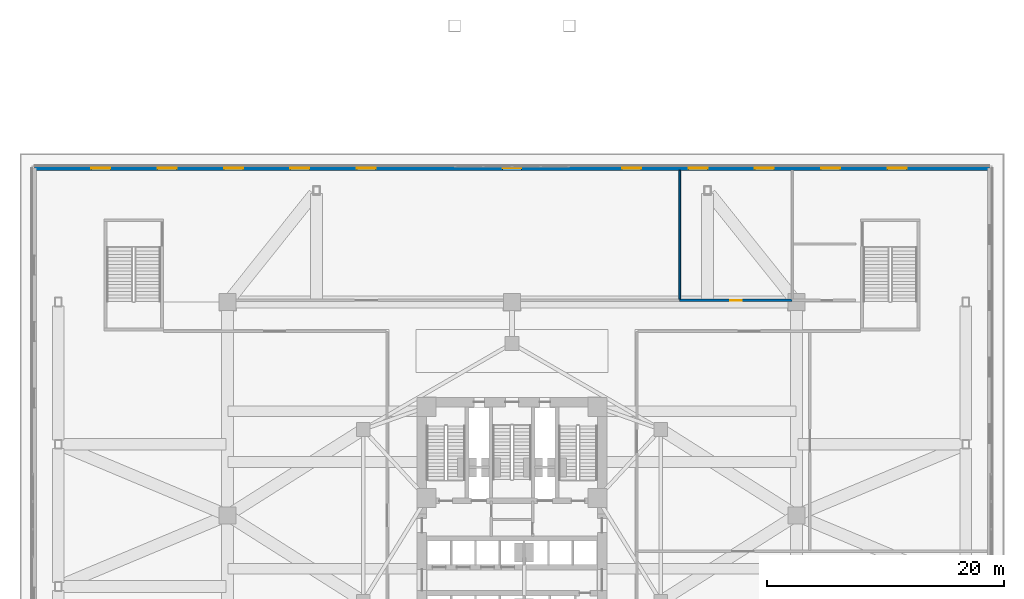
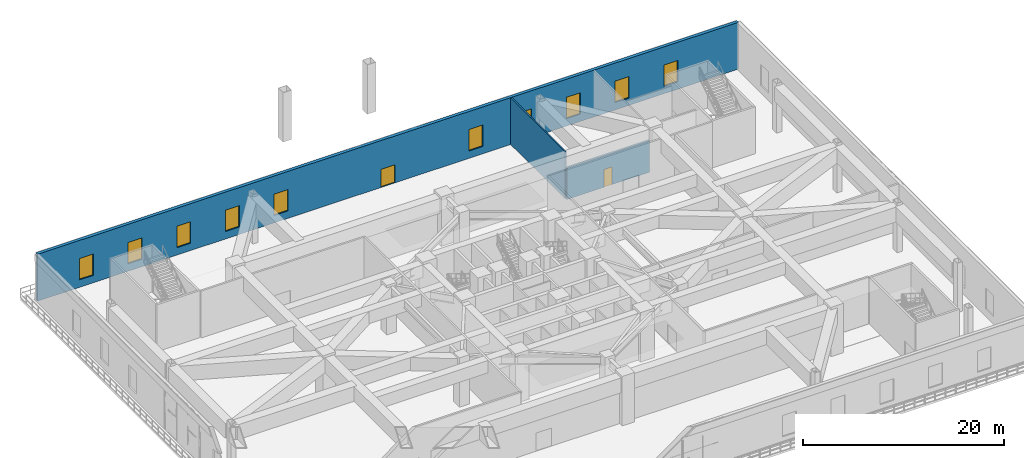
# One storey, part 14 of 25: 10 windows, 3 walls, 2 doors, 12 openings.
"""IFC4 building model written with IfcOpenShell, lengths in metres."""

from ifc_helpers import new_model, si_unit, direction, frame, frame_2d, origin, place, context, subcontext, project, spatial, rectangle, extrude, material, layer, layer_set, type_object, element, fill, save


model = new_model("IFC4")

# Units and contexts
model_context = context("Model", 3, precision=1e-05, world=origin(), true_north=direction((0.0, 1.0)))
body_context = subcontext(model_context, "Body", "Model", "MODEL_VIEW")
ifc_project = project(units=[si_unit("LENGTHUNIT", "METRE"), si_unit("AREAUNIT", "SQUARE_METRE"), si_unit("VOLUMEUNIT", "CUBIC_METRE"), si_unit("PLANEANGLEUNIT", "RADIAN"), si_unit("MASSUNIT", "GRAM", prefix="KILO")], contexts=[model_context])

# Site, building, storey
site_placement = place(None, origin())
site = spatial("IfcSite", under=ifc_project, at=site_placement, CompositionType="ELEMENT")
building_placement = place(site_placement, origin())
building = spatial("IfcBuilding", under=site, at=building_placement, Name="Apsidion Concourse Tower", CompositionType="ELEMENT")
storey_placement = place(building_placement, frame((0.0, 0.0, 11.5)))
storey = spatial("IfcBuildingStorey", under=building, at=storey_placement, Name="L02", CompositionType="ELEMENT", Elevation=11.5)

# Wall, openings, door, windows
ifc_material_1 = material(Name="Precast concrete C40/50", Category="concrete")
ifc_layer_1 = layer(ifc_material_1, 0.360107421875)
ifc_layer_set_1 = layer_set([ifc_layer_1], Name="Precast concrete C40/50")
wall_type_1 = type_object("IfcWallType", Name="WL-EXT-360", PredefinedType="STANDARD", material=ifc_layer_set_1)
wall_1_placement = place(storey_placement, frame((-40.300048828125, 29.300048828125, 0.0), z_axis=(0.0, 0.0, 1.0), x_axis=(1.0, 0.0, 0.0)))
wall_1 = element("IfcWall", 1, at=wall_1_placement, inside=storey, type_object=wall_type_1, Name="L02 Podium Precast Stone Facade Wall N", PredefinedType="STANDARD", context=body_context, shape_type="SweptSolid", body=[
    extrude(rectangle(XDim=80.60009765625, YDim=0.360107421875, at=frame_2d((40.300048828125, 0.0))), origin(), (0.0, 0.0, 1.0), 5.699951171875),
])
opening_1_placement = place(wall_1_placement, frame((39.5, 0.0, 0.0)))
opening_1 = element("IfcOpeningElement", 2, at=opening_1_placement, cuts=wall_1, Name="Opening D-T2D", PredefinedType="OPENING", context=body_context, shape_type="SweptSolid", body=[
    extrude(rectangle(XDim=1.60009765625, YDim=2.199951171875, at=frame_2d((0.800048828125, 1.10009765625))), frame((0.0, 0.18994140625, 0.0), z_axis=(0.0, -1.0, 0.0), x_axis=(1.0, 0.0, 0.0)), (0.0, 0.0, 1.0), 0.380126953125),
])
opening_2_placement = place(wall_1_placement, frame((4.800048828125, 0.0, 0.89990234375)))
opening_2 = element("IfcOpeningElement", 3, at=opening_2_placement, cuts=wall_1, Name="Opening WN-02", PredefinedType="OPENING", context=body_context, shape_type="SweptSolid", body=[
    extrude(rectangle(XDim=1.60009765625, YDim=2.60009765625, at=frame_2d((0.800048828125, 1.300048828125))), frame((0.0, 0.18994140625, 0.0), z_axis=(0.0, -1.0, 0.0), x_axis=(1.0, 0.0, 0.0)), (0.0, 0.0, 1.0), 0.380126953125),
])
opening_3_placement = place(wall_1_placement, frame((10.39990234375, 0.0, 0.89990234375)))
opening_3 = element("IfcOpeningElement", 4, at=opening_3_placement, cuts=wall_1, Name="Opening WN-02", PredefinedType="OPENING", context=body_context, shape_type="SweptSolid", body=[
    extrude(rectangle(XDim=1.60009765625, YDim=2.60009765625, at=frame_2d((0.800048828125, 1.300048828125))), frame((0.0, 0.18994140625, 0.0), z_axis=(0.0, -1.0, 0.0), x_axis=(1.0, 0.0, 0.0)), (0.0, 0.0, 1.0), 0.380126953125),
])
opening_4_placement = place(wall_1_placement, frame((16.0, 0.0, 0.89990234375)))
opening_4 = element("IfcOpeningElement", 5, at=opening_4_placement, cuts=wall_1, Name="Opening WN-02", PredefinedType="OPENING", context=body_context, shape_type="SweptSolid", body=[
    extrude(rectangle(XDim=1.60009765625, YDim=2.60009765625, at=frame_2d((0.800048828125, 1.300048828125))), frame((0.0, 0.18994140625, 0.0), z_axis=(0.0, -1.0, 0.0), x_axis=(1.0, 0.0, 0.0)), (0.0, 0.0, 1.0), 0.380126953125),
])
opening_5_placement = place(wall_1_placement, frame((21.60009765625, 0.0, 0.89990234375)))
opening_5 = element("IfcOpeningElement", 6, at=opening_5_placement, cuts=wall_1, Name="Opening WN-02", PredefinedType="OPENING", context=body_context, shape_type="SweptSolid", body=[
    extrude(rectangle(XDim=1.60009765625, YDim=2.60009765625, at=frame_2d((0.800048828125, 1.300048828125))), frame((0.0, 0.18994140625, 0.0), z_axis=(0.0, -1.0, 0.0), x_axis=(1.0, 0.0, 0.0)), (0.0, 0.0, 1.0), 0.380126953125),
])
opening_6_placement = place(wall_1_placement, frame((27.199951171875, 0.0, 0.89990234375)))
opening_6 = element("IfcOpeningElement", 7, at=opening_6_placement, cuts=wall_1, Name="Opening WN-02", PredefinedType="OPENING", context=body_context, shape_type="SweptSolid", body=[
    extrude(rectangle(XDim=1.60009765625, YDim=2.60009765625, at=frame_2d((0.800048828125, 1.300048828125))), frame((0.0, 0.18994140625, 0.0), z_axis=(0.0, -1.0, 0.0), x_axis=(1.0, 0.0, 0.0)), (0.0, 0.0, 1.0), 0.380126953125),
])
opening_7_placement = place(wall_1_placement, frame((49.60009765625, 0.0, 0.89990234375)))
opening_7 = element("IfcOpeningElement", 8, at=opening_7_placement, cuts=wall_1, Name="Opening WN-02", PredefinedType="OPENING", context=body_context, shape_type="SweptSolid", body=[
    extrude(rectangle(XDim=1.60009765625, YDim=2.60009765625, at=frame_2d((0.800048828125, 1.300048828125))), frame((0.0, 0.18994140625, 0.0), z_axis=(0.0, -1.0, 0.0), x_axis=(1.0, 0.0, 0.0)), (0.0, 0.0, 1.0), 0.380126953125),
])
opening_8_placement = place(wall_1_placement, frame((55.199951171875, 0.0, 0.89990234375)))
opening_8 = element("IfcOpeningElement", 9, at=opening_8_placement, cuts=wall_1, Name="Opening WN-02", PredefinedType="OPENING", context=body_context, shape_type="SweptSolid", body=[
    extrude(rectangle(XDim=1.60009765625, YDim=2.60009765625, at=frame_2d((0.800048828125, 1.300048828125))), frame((0.0, 0.18994140625, 0.0), z_axis=(0.0, -1.0, 0.0), x_axis=(1.0, 0.0, 0.0)), (0.0, 0.0, 1.0), 0.380126953125),
])
opening_9_placement = place(wall_1_placement, frame((60.800048828125, 0.0, 0.89990234375)))
opening_9 = element("IfcOpeningElement", 10, at=opening_9_placement, cuts=wall_1, Name="Opening WN-02", PredefinedType="OPENING", context=body_context, shape_type="SweptSolid", body=[
    extrude(rectangle(XDim=1.60009765625, YDim=2.60009765625, at=frame_2d((0.800048828125, 1.300048828125))), frame((0.0, 0.18994140625, 0.0), z_axis=(0.0, -1.0, 0.0), x_axis=(1.0, 0.0, 0.0)), (0.0, 0.0, 1.0), 0.380126953125),
])
opening_10_placement = place(wall_1_placement, frame((66.39990234375, 0.0, 0.89990234375)))
opening_10 = element("IfcOpeningElement", 11, at=opening_10_placement, cuts=wall_1, Name="Opening WN-02", PredefinedType="OPENING", context=body_context, shape_type="SweptSolid", body=[
    extrude(rectangle(XDim=1.60009765625, YDim=2.60009765625, at=frame_2d((0.800048828125, 1.300048828125))), frame((0.0, 0.18994140625, 0.0), z_axis=(0.0, -1.0, 0.0), x_axis=(1.0, 0.0, 0.0)), (0.0, 0.0, 1.0), 0.380126953125),
])
opening_11_placement = place(wall_1_placement, frame((72.0, 0.0, 0.89990234375)))
opening_11 = element("IfcOpeningElement", 12, at=opening_11_placement, cuts=wall_1, Name="Opening WN-02", PredefinedType="OPENING", context=body_context, shape_type="SweptSolid", body=[
    extrude(rectangle(XDim=1.60009765625, YDim=2.60009765625, at=frame_2d((0.800048828125, 1.300048828125))), frame((0.0, 0.18994140625, 0.0), z_axis=(0.0, -1.0, 0.0), x_axis=(1.0, 0.0, 0.0)), (0.0, 0.0, 1.0), 0.380126953125),
])
ifc_material_2 = material(Name="Anodised aluminium EN AW-6063 T6", Category="aluminium")
door_type_1 = type_object("IfcDoorType", Name="DR-TER-1622D", OperationType="DOUBLE_DOOR_SINGLE_SWING", PredefinedType="DOOR", material=ifc_material_2)
door_1_placement = place(opening_1_placement, origin())
door_1 = element("IfcDoor", 13, at=door_1_placement, inside=storey, type_object=door_type_1, Name="L02 Podium Terrace Access Door N", OperationType="DOUBLE_DOOR_SINGLE_SWING", OverallHeight=2.199951171875, OverallWidth=1.60009765625, PredefinedType="DOOR", context=body_context, shape_type="SweptSolid", body=[
    extrude(rectangle(XDim=1.60009765625, YDim=2.199951171875, at=frame_2d((0.800048828125, 1.10009765625))), frame((0.0, 0.02490234375, 0.0), z_axis=(0.0, -1.0, 0.0), x_axis=(1.0, 0.0, 0.0)), (0.0, 0.0, 1.0), 0.050048828125),
])
fill(opening_1, door_1)
ifc_material_3 = material(Name="Insulated laminated low-E glass", Category="glass")
window_type = type_object("IfcWindowType", Name="WN-POD-1626", PartitioningType="DOUBLE_PANEL_VERTICAL", PredefinedType="WINDOW", material=ifc_material_3)
window_1_placement = place(opening_2_placement, origin())
window_1 = element("IfcWindow", 14, at=window_1_placement, inside=storey, type_object=window_type, Name="L02 Podium Window N-01", OverallHeight=2.60009765625, OverallWidth=1.60009765625, PartitioningType="DOUBLE_PANEL_VERTICAL", PredefinedType="WINDOW", context=body_context, shape_type="SweptSolid", body=[
    extrude(rectangle(XDim=1.60009765625, YDim=2.60009765625, at=frame_2d((0.800048828125, 1.300048828125))), frame((0.0, 0.030029296875, 0.0), z_axis=(0.0, -1.0, 0.0), x_axis=(1.0, 0.0, 0.0)), (0.0, 0.0, 1.0), 0.06005859375),
])
fill(opening_2, window_1)
window_2_placement = place(opening_3_placement, origin())
window_2 = element("IfcWindow", 15, at=window_2_placement, inside=storey, type_object=window_type, Name="L02 Podium Window N-02", OverallHeight=2.60009765625, OverallWidth=1.60009765625, PartitioningType="DOUBLE_PANEL_VERTICAL", PredefinedType="WINDOW", context=body_context, shape_type="SweptSolid", body=[
    extrude(rectangle(XDim=1.60009765625, YDim=2.60009765625, at=frame_2d((0.800048828125, 1.300048828125))), frame((0.0, 0.030029296875, 0.0), z_axis=(0.0, -1.0, 0.0), x_axis=(1.0, 0.0, 0.0)), (0.0, 0.0, 1.0), 0.06005859375),
])
fill(opening_3, window_2)
window_3_placement = place(opening_4_placement, origin())
window_3 = element("IfcWindow", 16, at=window_3_placement, inside=storey, type_object=window_type, Name="L02 Podium Window N-03", OverallHeight=2.60009765625, OverallWidth=1.60009765625, PartitioningType="DOUBLE_PANEL_VERTICAL", PredefinedType="WINDOW", context=body_context, shape_type="SweptSolid", body=[
    extrude(rectangle(XDim=1.60009765625, YDim=2.60009765625, at=frame_2d((0.800048828125, 1.300048828125))), frame((0.0, 0.030029296875, 0.0), z_axis=(0.0, -1.0, 0.0), x_axis=(1.0, 0.0, 0.0)), (0.0, 0.0, 1.0), 0.06005859375),
])
fill(opening_4, window_3)
window_4_placement = place(opening_5_placement, origin())
window_4 = element("IfcWindow", 17, at=window_4_placement, inside=storey, type_object=window_type, Name="L02 Podium Window N-04", OverallHeight=2.60009765625, OverallWidth=1.60009765625, PartitioningType="DOUBLE_PANEL_VERTICAL", PredefinedType="WINDOW", context=body_context, shape_type="SweptSolid", body=[
    extrude(rectangle(XDim=1.60009765625, YDim=2.60009765625, at=frame_2d((0.800048828125, 1.300048828125))), frame((0.0, 0.030029296875, 0.0), z_axis=(0.0, -1.0, 0.0), x_axis=(1.0, 0.0, 0.0)), (0.0, 0.0, 1.0), 0.06005859375),
])
fill(opening_5, window_4)
window_5_placement = place(opening_6_placement, origin())
window_5 = element("IfcWindow", 18, at=window_5_placement, inside=storey, type_object=window_type, Name="L02 Podium Window N-05", OverallHeight=2.60009765625, OverallWidth=1.60009765625, PartitioningType="DOUBLE_PANEL_VERTICAL", PredefinedType="WINDOW", context=body_context, shape_type="SweptSolid", body=[
    extrude(rectangle(XDim=1.60009765625, YDim=2.60009765625, at=frame_2d((0.800048828125, 1.300048828125))), frame((0.0, 0.030029296875, 0.0), z_axis=(0.0, -1.0, 0.0), x_axis=(1.0, 0.0, 0.0)), (0.0, 0.0, 1.0), 0.06005859375),
])
fill(opening_6, window_5)
window_6_placement = place(opening_7_placement, origin())
window_6 = element("IfcWindow", 19, at=window_6_placement, inside=storey, type_object=window_type, Name="L02 Podium Window N-09", OverallHeight=2.60009765625, OverallWidth=1.60009765625, PartitioningType="DOUBLE_PANEL_VERTICAL", PredefinedType="WINDOW", context=body_context, shape_type="SweptSolid", body=[
    extrude(rectangle(XDim=1.60009765625, YDim=2.60009765625, at=frame_2d((0.800048828125, 1.300048828125))), frame((0.0, 0.030029296875, 0.0), z_axis=(0.0, -1.0, 0.0), x_axis=(1.0, 0.0, 0.0)), (0.0, 0.0, 1.0), 0.06005859375),
])
fill(opening_7, window_6)
window_7_placement = place(opening_8_placement, origin())
window_7 = element("IfcWindow", 20, at=window_7_placement, inside=storey, type_object=window_type, Name="L02 Podium Window N-10", OverallHeight=2.60009765625, OverallWidth=1.60009765625, PartitioningType="DOUBLE_PANEL_VERTICAL", PredefinedType="WINDOW", context=body_context, shape_type="SweptSolid", body=[
    extrude(rectangle(XDim=1.60009765625, YDim=2.60009765625, at=frame_2d((0.800048828125, 1.300048828125))), frame((0.0, 0.030029296875, 0.0), z_axis=(0.0, -1.0, 0.0), x_axis=(1.0, 0.0, 0.0)), (0.0, 0.0, 1.0), 0.06005859375),
])
fill(opening_8, window_7)
window_8_placement = place(opening_9_placement, origin())
window_8 = element("IfcWindow", 21, at=window_8_placement, inside=storey, type_object=window_type, Name="L02 Podium Window N-11", OverallHeight=2.60009765625, OverallWidth=1.60009765625, PartitioningType="DOUBLE_PANEL_VERTICAL", PredefinedType="WINDOW", context=body_context, shape_type="SweptSolid", body=[
    extrude(rectangle(XDim=1.60009765625, YDim=2.60009765625, at=frame_2d((0.800048828125, 1.300048828125))), frame((0.0, 0.030029296875, 0.0), z_axis=(0.0, -1.0, 0.0), x_axis=(1.0, 0.0, 0.0)), (0.0, 0.0, 1.0), 0.06005859375),
])
fill(opening_9, window_8)
window_9_placement = place(opening_10_placement, origin())
window_9 = element("IfcWindow", 22, at=window_9_placement, inside=storey, type_object=window_type, Name="L02 Podium Window N-12", OverallHeight=2.60009765625, OverallWidth=1.60009765625, PartitioningType="DOUBLE_PANEL_VERTICAL", PredefinedType="WINDOW", context=body_context, shape_type="SweptSolid", body=[
    extrude(rectangle(XDim=1.60009765625, YDim=2.60009765625, at=frame_2d((0.800048828125, 1.300048828125))), frame((0.0, 0.030029296875, 0.0), z_axis=(0.0, -1.0, 0.0), x_axis=(1.0, 0.0, 0.0)), (0.0, 0.0, 1.0), 0.06005859375),
])
fill(opening_10, window_9)
window_10_placement = place(opening_11_placement, origin())
window_10 = element("IfcWindow", 23, at=window_10_placement, inside=storey, type_object=window_type, Name="L02 Podium Window N-13", OverallHeight=2.60009765625, OverallWidth=1.60009765625, PartitioningType="DOUBLE_PANEL_VERTICAL", PredefinedType="WINDOW", context=body_context, shape_type="SweptSolid", body=[
    extrude(rectangle(XDim=1.60009765625, YDim=2.60009765625, at=frame_2d((0.800048828125, 1.300048828125))), frame((0.0, 0.030029296875, 0.0), z_axis=(0.0, -1.0, 0.0), x_axis=(1.0, 0.0, 0.0)), (0.0, 0.0, 1.0), 0.06005859375),
])
fill(opening_11, window_10)

# Wall
ifc_material_4 = material(Name="Gypsum plasterboard partition")
ifc_layer_2 = layer(ifc_material_4, 0.14990234375)
ifc_layer_set_2 = layer_set([ifc_layer_2], Name="Gypsum plasterboard partition")
wall_type_2 = type_object("IfcWallType", Name="WL-INT-PAR-150", PredefinedType="PARTITIONING", material=ifc_layer_set_2)
wall_2_placement = place(storey_placement, frame((14.14990234375, 18.25, 0.0), z_axis=(0.0, 0.0, 1.0), x_axis=(0.0, 1.0, 0.0)))
element("IfcWall", 24, at=wall_2_placement, inside=storey, type_object=wall_type_2, Name="L02 Interior Partition WL-L02-WCV1", PredefinedType="PARTITIONING", context=body_context, shape_type="SweptSolid", body=[
    extrude(rectangle(XDim=10.85498046875, YDim=0.14990234375, at=frame_2d((5.427490234375, 0.0))), origin(), (0.0, 0.0, 1.0), 5.699951171875),
])

# Wall, opening, door
ifc_layer_3 = layer(ifc_material_4, 0.179931640625)
ifc_layer_set_3 = layer_set([ifc_layer_3], Name="Gypsum plasterboard partition")
wall_type_3 = type_object("IfcWallType", Name="WL-INT-PAR-180", PredefinedType="PARTITIONING", material=ifc_layer_set_3)
wall_3_placement = place(storey_placement, frame((14.14990234375, 18.14990234375, 0.0), z_axis=(0.0, 0.0, 1.0), x_axis=(1.0, 0.0, 0.0)))
wall_3 = element("IfcWall", 25, at=wall_3_placement, inside=storey, type_object=wall_type_3, Name="L02 Interior Partition WL-L02-WC1", PredefinedType="PARTITIONING", context=body_context, shape_type="SweptSolid", body=[
    extrude(rectangle(XDim=9.5, YDim=0.179931640625, at=frame_2d((4.75, 0.0))), origin(), (0.0, 0.0, 1.0), 3.8798828125),
])
opening_12_placement = place(wall_3_placement, frame((4.27490234375, 0.0, 0.0)))
opening_12 = element("IfcOpeningElement", 26, at=opening_12_placement, cuts=wall_3, Name="Opening D-01L", PredefinedType="OPENING", context=body_context, shape_type="SweptSolid", body=[
    extrude(rectangle(XDim=0.949951171875, YDim=2.14990234375, at=frame_2d((0.47509765625, 1.074951171875))), frame((0.0, 0.10009765625, 0.0), z_axis=(0.0, -1.0, 0.0), x_axis=(1.0, 0.0, 0.0)), (0.0, 0.0, 1.0), 0.199951171875),
])
ifc_material_5 = material(Name="Brushed stainless steel 316", Category="steel")
door_type_2 = type_object("IfcDoorType", Name="DR-INT-D01L", OperationType="SINGLE_SWING_LEFT", PredefinedType="DOOR", material=ifc_material_5)
door_2_placement = place(opening_12_placement, origin())
door_2 = element("IfcDoor", 27, at=door_2_placement, inside=storey, type_object=door_type_2, Name="L02 Convention Door WL-L02-WC1", OperationType="SINGLE_SWING_LEFT", OverallHeight=2.14990234375, OverallWidth=0.949951171875, PredefinedType="DOOR", context=body_context, shape_type="SweptSolid", body=[
    extrude(rectangle(XDim=0.949951171875, YDim=2.14990234375, at=frame_2d((0.47509765625, 1.074951171875))), frame((0.0, 0.02490234375, 0.0), z_axis=(0.0, -1.0, 0.0), x_axis=(1.0, 0.0, 0.0)), (0.0, 0.0, 1.0), 0.050048828125),
])
fill(opening_12, door_2)

save(model, "model.ifc")
